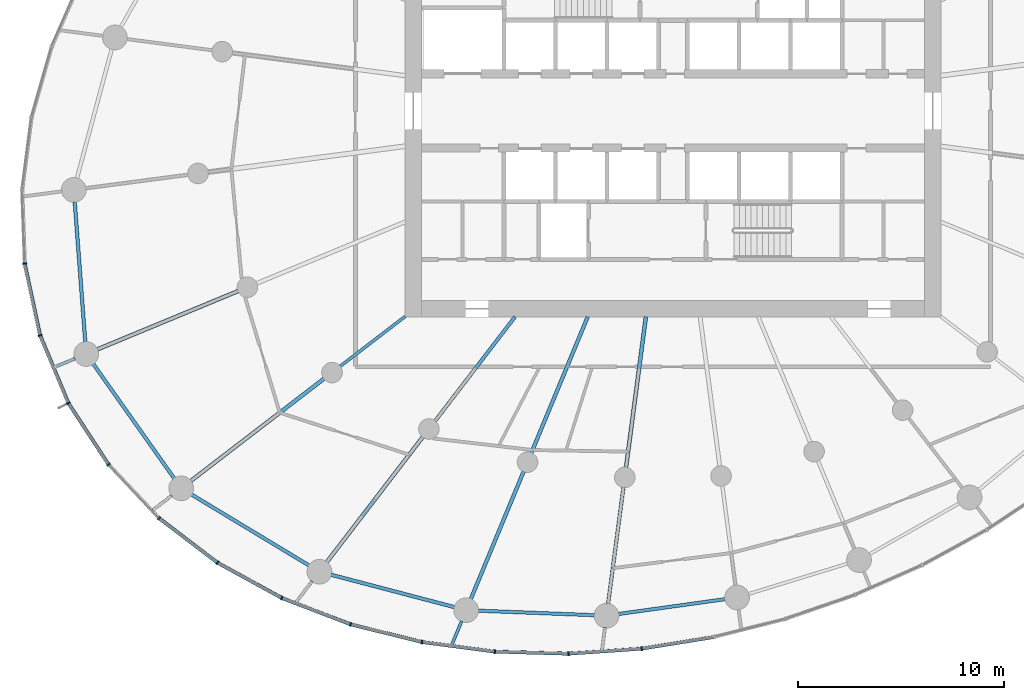
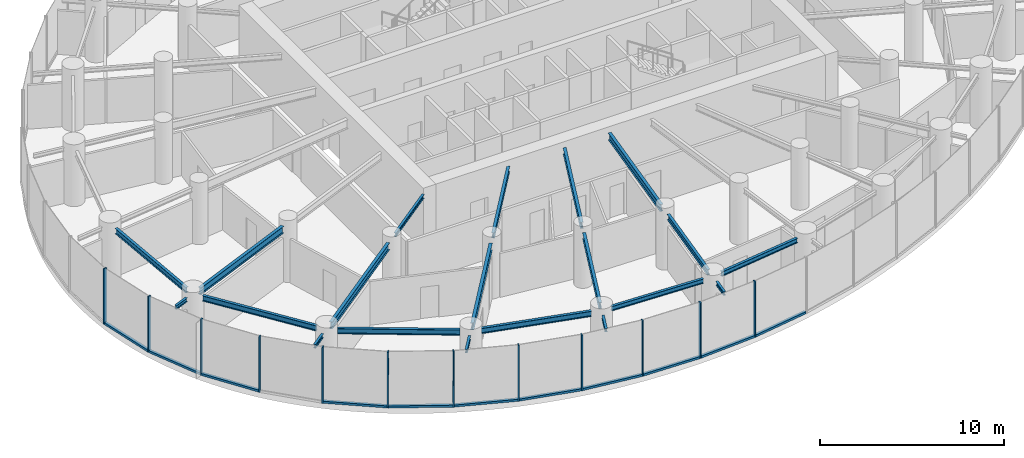
# One storey, part 2 of 17: 23 members, 20 beams, 2 elements without a shape of their own.
"""IFC4 building model written with IfcOpenShell, lengths in metres."""

from ifc_helpers import new_model, si_unit, direction, frame, origin, origin_2d, place, context, subcontext, project, spatial, rectangle, i_section, extrude, source, transform, mapped, material, layer, layer_set, material_profile, profile_set, type_object, element, aggregate, save


model = new_model("IFC4")

# Units and contexts
model_context = context("Model", 3, precision=1e-05, world=origin(), true_north=direction((0.0, 1.0)))
body_context = subcontext(model_context, "Body", "Model", "MODEL_VIEW")
ifc_project = project(units=[si_unit("LENGTHUNIT", "METRE"), si_unit("AREAUNIT", "SQUARE_METRE"), si_unit("VOLUMEUNIT", "CUBIC_METRE"), si_unit("PLANEANGLEUNIT", "RADIAN"), si_unit("MASSUNIT", "GRAM", prefix="KILO")], contexts=[model_context])

# Site, building, storey
site_placement = place(None, origin())
site = spatial("IfcSite", under=ifc_project, at=site_placement, CompositionType="ELEMENT")
building_placement = place(site_placement, origin())
building = spatial("IfcBuilding", under=site, at=building_placement, Name="Spindrift Exchange Tower", CompositionType="ELEMENT")
storey_placement = place(building_placement, frame((0.0, 0.0, 88.0)))
storey = spatial("IfcBuildingStorey", under=building, at=storey_placement, Name="L20", CompositionType="ELEMENT", Elevation=88.0)

# Beams
ifc_material_1 = material(Name="Steel Grade 300", Category="steel")
ifc_material_profile_1 = material_profile(ifc_material_1, i_section(OverallWidth=0.14599609375, OverallDepth=0.251953125, WebThickness=0.006103515625, FlangeThickness=0.008544921875, FilletRadius=0.011962890625, at=origin_2d()), Name="250UB31.4")
ifc_profile_set_1 = profile_set([ifc_material_profile_1], Name="Steel Grade 300")
beam_type_1 = type_object("IfcBeamType", Name="Floor Beam 250UB31.4 Steel Grade 300", PredefinedType="BEAM", material=ifc_profile_set_1)
shared_shape_1 = source(origin(), body_context, "Body", "SweptSolid", [
    extrude(i_section(OverallWidth=0.14599609375, OverallDepth=0.251953125, WebThickness=0.006103515625, FlangeThickness=0.008544921875, FilletRadius=0.011962890625, at=origin_2d()), origin(), (0.0, 0.0, 1.0), 3.99560546875),
])
beam_1_placement = place(storey_placement, frame((39.015869140625, 38.036865234375, 3.573974609375), z_axis=(-0.793352561574, -0.608762443851, 0.0), x_axis=(0.608762443851, -0.793352561574, 0.0)))
element("IfcBeam", 1, at=beam_1_placement, inside=storey, type_object=beam_type_1, Name="L20 radial beam R15A", PredefinedType="BEAM", context=body_context, shape_type="MappedRepresentation", body=[
    mapped(shared_shape_1, transform((0.0, 0.0, 0.0), scale=1.0)),
])
ifc_material_profile_2 = material_profile(ifc_material_1, i_section(OverallWidth=0.172119140625, OverallDepth=0.35888671875, WebThickness=0.008056640625, FlangeThickness=0.012939453125, FilletRadius=0.013916015625, at=origin_2d()), Name="360UB56.7")
ifc_profile_set_2 = profile_set([ifc_material_profile_2], Name="Steel Grade 300")
beam_type_2 = type_object("IfcBeamType", Name="Floor Beam 360UB56.7 Steel Grade 300", PredefinedType="BEAM", material=ifc_profile_set_2)
shared_shape_2 = source(origin(), body_context, "Body", "SweptSolid", [
    extrude(i_section(OverallWidth=0.172119140625, OverallDepth=0.35888671875, WebThickness=0.008056640625, FlangeThickness=0.012939453125, FilletRadius=0.013916015625, at=origin_2d()), origin(), (0.0, 0.0, 1.0), 6.37646484375),
])
beam_2_placement = place(storey_placement, frame((44.3388671875, 38.015869140625, 3.5205078125), z_axis=(-0.608766669952, -0.793349318747, 0.0), x_axis=(0.793349318747, -0.608766669952, 0.0)))
element("IfcBeam", 2, at=beam_2_placement, inside=storey, type_object=beam_type_2, Name="L20 radial beam R16A", PredefinedType="BEAM", context=body_context, shape_type="MappedRepresentation", body=[
    mapped(shared_shape_2, transform((0.0, 0.0, 0.0), scale=1.0)),
])
ifc_material_profile_3 = material_profile(ifc_material_1, i_section(OverallWidth=0.177978515625, OverallDepth=0.406005859375, WebThickness=0.0078125, FlangeThickness=0.0126953125, FilletRadius=0.013916015625, at=origin_2d()), Name="410UB59.7")
ifc_profile_set_3 = profile_set([ifc_material_profile_3], Name="Steel Grade 300")
beam_type_3 = type_object("IfcBeamType", Name="Floor Beam 410UB59.7 Steel Grade 300", PredefinedType="BEAM", material=ifc_profile_set_3)
shared_shape_3 = source(origin(), body_context, "Body", "SweptSolid", [
    extrude(i_section(OverallWidth=0.177978515625, OverallDepth=0.406005859375, WebThickness=0.0078125, FlangeThickness=0.0126953125, FilletRadius=0.013916015625, at=origin_2d()), origin(), (0.0, 0.0, 1.0), 7.150634765625),
])
beam_3_placement = place(storey_placement, frame((47.865478515625, 38.0185546875, 3.4970703125), z_axis=(-0.382665393358, -0.923887004306, 0.0), x_axis=(0.923887004306, -0.382665393358, 0.0)))
element("IfcBeam", 3, at=beam_3_placement, inside=storey, type_object=beam_type_3, Name="L20 radial beam R17A", PredefinedType="BEAM", context=body_context, shape_type="MappedRepresentation", body=[
    mapped(shared_shape_3, transform((0.0, 0.0, 0.0), scale=1.0)),
])
ifc_material_profile_4 = material_profile(ifc_material_1, i_section(OverallWidth=0.18994140625, OverallDepth=0.45703125, WebThickness=0.009033203125, FlangeThickness=0.014404296875, FilletRadius=0.013916015625, at=origin_2d()), Name="460UB74.6")
ifc_profile_set_4 = profile_set([ifc_material_profile_4], Name="Steel Grade 300")
beam_type_4 = type_object("IfcBeamType", Name="Floor Beam 460UB74.6 Steel Grade 300", PredefinedType="BEAM", material=ifc_profile_set_4)
shared_shape_4 = source(origin(), body_context, "Body", "SweptSolid", [
    extrude(i_section(OverallWidth=0.18994140625, OverallDepth=0.45703125, WebThickness=0.009033203125, FlangeThickness=0.014404296875, FilletRadius=0.013916015625, at=origin_2d()), origin(), (0.0, 0.0, 1.0), 7.374267578125),
])
beam_4_placement = place(storey_placement, frame((50.68603515625, 38.019775390625, 3.471435546875), z_axis=(-0.130539295622, -0.99144313619, 0.0), x_axis=(0.99144313619, -0.130539295622, 0.0)))
element("IfcBeam", 4, at=beam_4_placement, inside=storey, type_object=beam_type_4, Name="L20 radial beam R18A", PredefinedType="BEAM", context=body_context, shape_type="MappedRepresentation", body=[
    mapped(shared_shape_4, transform((0.0, 0.0, 0.0), scale=1.0)),
])
shared_shape_5 = source(origin(), body_context, "Body", "SweptSolid", [
    extrude(i_section(OverallWidth=0.18994140625, OverallDepth=0.45703125, WebThickness=0.009033203125, FlangeThickness=0.014404296875, FilletRadius=0.013916015625, at=origin_2d()), origin(), (0.0, 0.0, 1.0), 7.400146484375),
])
beam_5_placement = place(storey_placement, frame((30.917236328125, 39.26708984375, 3.471435546875), z_axis=(-0.923886957755, -0.382665505749, 0.0), x_axis=(0.382665505749, -0.923886957755, 0.0)))
element("IfcBeam", 5, at=beam_5_placement, inside=storey, type_object=beam_type_4, Name="L20 radial beam R14B", PredefinedType="BEAM", context=body_context, shape_type="MappedRepresentation", body=[
    mapped(shared_shape_5, transform((0.0, 0.0, 0.0), scale=1.0)),
])
shared_shape_6 = source(origin(), body_context, "Body", "SweptSolid", [
    extrude(i_section(OverallWidth=0.18994140625, OverallDepth=0.45703125, WebThickness=0.009033203125, FlangeThickness=0.014404296875, FilletRadius=0.013916015625, at=origin_2d()), origin(), (0.0, 0.0, 1.0), 8.158447265625),
])
beam_6_placement = place(storey_placement, frame((35.08447265625, 35.020263671875, 3.471435546875), z_axis=(-0.793358732539, -0.608754401631, 0.0), x_axis=(0.608754401631, -0.793358732539, 0.0)))
element("IfcBeam", 6, at=beam_6_placement, inside=storey, type_object=beam_type_4, Name="L20 radial beam R15B", PredefinedType="BEAM", context=body_context, shape_type="MappedRepresentation", body=[
    mapped(shared_shape_6, transform((0.0, 0.0, 0.0), scale=1.0)),
])
shared_shape_7 = source(origin(), body_context, "Body", "SweptSolid", [
    extrude(i_section(OverallWidth=0.18994140625, OverallDepth=0.45703125, WebThickness=0.009033203125, FlangeThickness=0.014404296875, FilletRadius=0.013916015625, at=origin_2d()), origin(), (0.0, 0.0, 1.0), 7.663818359375),
])
beam_7_placement = place(storey_placement, frame((39.872802734375, 32.1953125, 3.471435546875), z_axis=(-0.608771227503, -0.793345821546, 0.0), x_axis=(0.793345821546, -0.608771227503, 0.0)))
element("IfcBeam", 7, at=beam_7_placement, inside=storey, type_object=beam_type_4, Name="L20 radial beam R16B", PredefinedType="BEAM", context=body_context, shape_type="MappedRepresentation", body=[
    mapped(shared_shape_7, transform((0.0, 0.0, 0.0), scale=1.0)),
])
shared_shape_8 = source(origin(), body_context, "Body", "SweptSolid", [
    extrude(i_section(OverallWidth=0.177978515625, OverallDepth=0.406005859375, WebThickness=0.0078125, FlangeThickness=0.0126953125, FilletRadius=0.013916015625, at=origin_2d()), origin(), (0.0, 0.0, 1.0), 6.71240234375),
])
beam_8_placement = place(storey_placement, frame((44.76171875, 30.525146484375, 3.4970703125), z_axis=(-0.382669812754, -0.923885173821, 0.0), x_axis=(0.923885173821, -0.382669812754, 0.0)))
element("IfcBeam", 8, at=beam_8_placement, inside=storey, type_object=beam_type_3, Name="L20 radial beam R17B", PredefinedType="BEAM", context=body_context, shape_type="MappedRepresentation", body=[
    mapped(shared_shape_8, transform((0.0, 0.0, 0.0), scale=1.0)),
])
shared_shape_9 = source(origin(), body_context, "Body", "SweptSolid", [
    extrude(i_section(OverallWidth=0.172119140625, OverallDepth=0.35888671875, WebThickness=0.008056640625, FlangeThickness=0.012939453125, FilletRadius=0.013916015625, at=origin_2d()), origin(), (0.0, 0.0, 1.0), 5.70751953125),
])
beam_9_placement = place(storey_placement, frame((49.59814453125, 29.7568359375, 3.5205078125), z_axis=(-0.130507624881, -0.991447305634, 0.0), x_axis=(0.991447305634, -0.130507624881, 0.0)))
element("IfcBeam", 9, at=beam_9_placement, inside=storey, type_object=beam_type_2, Name="L20 radial beam R18B", PredefinedType="BEAM", context=body_context, shape_type="MappedRepresentation", body=[
    mapped(shared_shape_9, transform((0.0, 0.0, 0.0), scale=1.0)),
])
ifc_material_profile_5 = material_profile(ifc_material_1, i_section(OverallWidth=0.172119140625, OverallDepth=0.35888671875, WebThickness=0.008056640625, FlangeThickness=0.012939453125, FilletRadius=0.013916015625, at=origin_2d()), Name="360UB56.7")
ifc_profile_set_5 = profile_set([ifc_material_profile_5], Name="Steel Grade 300")
beam_type_5 = type_object("IfcBeamType", Name="Edge Beam 360UB56.7 Steel Grade 300", PredefinedType="SPANDREL", material=ifc_profile_set_5)
shared_shape_10 = source(origin(), body_context, "Body", "SweptSolid", [
    extrude(i_section(OverallWidth=0.172119140625, OverallDepth=0.35888671875, WebThickness=0.008056640625, FlangeThickness=0.012939453125, FilletRadius=0.013916015625, at=origin_2d()), origin(), (0.0, 0.0, 1.0), 6.82373046875),
])
beam_10_placement = place(storey_placement, frame((22.9873046875, 43.59619140625, 3.5205078125), z_axis=(0.075276463877, -0.997162701863, 0.0), x_axis=(0.997162701863, 0.075276463877, 0.0)))
element("IfcBeam", 10, at=beam_10_placement, inside=storey, type_object=beam_type_5, Name="L20 edge beam E13", PredefinedType="SPANDREL", context=body_context, shape_type="MappedRepresentation", body=[
    mapped(shared_shape_10, transform((0.0, 0.0, 0.0), scale=1.0)),
])
shared_shape_11 = source(origin(), body_context, "Body", "SweptSolid", [
    extrude(i_section(OverallWidth=0.172119140625, OverallDepth=0.35888671875, WebThickness=0.008056640625, FlangeThickness=0.012939453125, FilletRadius=0.013916015625, at=origin_2d()), origin(), (0.0, 0.0, 1.0), 6.81787109375),
])
beam_11_placement = place(storey_placement, frame((23.87939453125, 35.739990234375, 3.5205078125), z_axis=(0.577526426198, -0.816371990604, 0.0), x_axis=(0.816371990604, 0.577526426198, 0.0)))
element("IfcBeam", 11, at=beam_11_placement, inside=storey, type_object=beam_type_5, Name="L20 edge beam E14", PredefinedType="SPANDREL", context=body_context, shape_type="MappedRepresentation", body=[
    mapped(shared_shape_11, transform((0.0, 0.0, 0.0), scale=1.0)),
])
shared_shape_12 = source(origin(), body_context, "Body", "SweptSolid", [
    extrude(i_section(OverallWidth=0.172119140625, OverallDepth=0.35888671875, WebThickness=0.008056640625, FlangeThickness=0.012939453125, FilletRadius=0.013916015625, at=origin_2d()), origin(), (0.0, 0.0, 1.0), 6.668701171875),
])
beam_12_placement = place(storey_placement, frame((28.6484375, 29.40087890625, 3.5205078125), z_axis=(0.856133207479, -0.516755194508, 0.0), x_axis=(0.516755194508, 0.856133207479, 0.0)))
element("IfcBeam", 12, at=beam_12_placement, inside=storey, type_object=beam_type_5, Name="L20 edge beam E15", PredefinedType="SPANDREL", context=body_context, shape_type="MappedRepresentation", body=[
    mapped(shared_shape_12, transform((0.0, 0.0, 0.0), scale=1.0)),
])
shared_shape_13 = source(origin(), body_context, "Body", "SweptSolid", [
    extrude(i_section(OverallWidth=0.172119140625, OverallDepth=0.35888671875, WebThickness=0.008056640625, FlangeThickness=0.012939453125, FilletRadius=0.013916015625, at=origin_2d()), origin(), (0.0, 0.0, 1.0), 6.197509765625),
])
beam_13_placement = place(storey_placement, frame((35.415283203125, 25.508056640625, 3.5205078125), z_axis=(0.967254420813, -0.253808757567, 0.0), x_axis=(0.253808757567, 0.967254420813, 0.0)))
element("IfcBeam", 13, at=beam_13_placement, inside=storey, type_object=beam_type_5, Name="L20 edge beam E16", PredefinedType="SPANDREL", context=body_context, shape_type="MappedRepresentation", body=[
    mapped(shared_shape_13, transform((0.0, 0.0, 0.0), scale=1.0)),
])
ifc_material_profile_6 = material_profile(ifc_material_1, i_section(OverallWidth=0.1650390625, OverallDepth=0.303955078125, WebThickness=0.006103515625, FlangeThickness=0.01025390625, FilletRadius=0.011474609375, at=origin_2d()), Name="310UB40.4")
ifc_profile_set_6 = profile_set([ifc_material_profile_6], Name="Steel Grade 300")
beam_type_6 = type_object("IfcBeamType", Name="Edge Beam 310UB40.4 Steel Grade 300", PredefinedType="SPANDREL", material=ifc_profile_set_6)
shared_shape_14 = source(origin(), body_context, "Body", "SweptSolid", [
    extrude(i_section(OverallWidth=0.1650390625, OverallDepth=0.303955078125, WebThickness=0.006103515625, FlangeThickness=0.01025390625, FilletRadius=0.011474609375, at=origin_2d()), origin(), (0.0, 0.0, 1.0), 5.65185546875),
])
beam_14_placement = place(storey_placement, frame((42.550537109375, 23.765380859375, 3.548095703125), z_axis=(0.99924397539, -0.038877726865, 0.0), x_axis=(0.038877726865, 0.99924397539, 0.0)))
element("IfcBeam", 14, at=beam_14_placement, inside=storey, type_object=beam_type_6, Name="L20 edge beam E17", PredefinedType="SPANDREL", context=body_context, shape_type="MappedRepresentation", body=[
    mapped(shared_shape_14, transform((0.0, 0.0, 0.0), scale=1.0)),
])
shared_shape_15 = source(origin(), body_context, "Body", "SweptSolid", [
    extrude(i_section(OverallWidth=0.1650390625, OverallDepth=0.303955078125, WebThickness=0.006103515625, FlangeThickness=0.01025390625, FilletRadius=0.011474609375, at=origin_2d()), origin(), (0.0, 0.0, 1.0), 5.22998046875),
])
beam_15_placement = place(storey_placement, frame((49.35205078125, 23.603271484375, 3.548095703125), z_axis=(0.990440078597, 0.137943650481, 0.0), x_axis=(-0.137943650481, 0.990440078597, 0.0)))
element("IfcBeam", 15, at=beam_15_placement, inside=storey, type_object=beam_type_6, Name="L20 edge beam E18", PredefinedType="SPANDREL", context=body_context, shape_type="MappedRepresentation", body=[
    mapped(shared_shape_15, transform((0.0, 0.0, 0.0), scale=1.0)),
])
ifc_material_profile_7 = material_profile(ifc_material_1, i_section(OverallWidth=0.14599609375, OverallDepth=0.251953125, WebThickness=0.006103515625, FlangeThickness=0.008544921875, FilletRadius=0.011962890625, at=origin_2d()), Name="250UB31.4")
ifc_profile_set_7 = profile_set([ifc_material_profile_7], Name="Steel Grade 300")
beam_type_7 = type_object("IfcBeamType", Name="Cantilever Beam 250UB31.4 Steel Grade 300", PredefinedType="BEAM", material=ifc_profile_set_7)
shared_shape_16 = source(origin(), body_context, "Body", "SweptSolid", [
    extrude(i_section(OverallWidth=0.14599609375, OverallDepth=0.251953125, WebThickness=0.006103515625, FlangeThickness=0.008544921875, FilletRadius=0.011962890625, at=origin_2d()), origin(), (0.0, 0.0, 1.0), 1.110107421875),
])
beam_16_placement = place(storey_placement, frame((48.701904296875, 22.9482421875, 3.573974609375), z_axis=(-0.130636560115, -0.991430324915, 0.0), x_axis=(0.991430324915, -0.130636560115, 0.0)))
element("IfcBeam", 16, at=beam_16_placement, inside=storey, type_object=beam_type_7, Name="L20 cantilever beam R18T", PredefinedType="BEAM", context=body_context, shape_type="MappedRepresentation", body=[
    mapped(shared_shape_16, transform((0.0, 0.0, 0.0), scale=1.0)),
])
shared_shape_17 = source(origin(), body_context, "Body", "SweptSolid", [
    extrude(i_section(OverallWidth=0.14599609375, OverallDepth=0.251953125, WebThickness=0.006103515625, FlangeThickness=0.008544921875, FilletRadius=0.011962890625, at=origin_2d()), origin(), (0.0, 0.0, 1.0), 0.97802734375),
])
beam_17_placement = place(storey_placement, frame((23.0087890625, 35.991455078125, 3.573974609375), z_axis=(-0.923879920344, -0.382682496052, 0.0), x_axis=(0.382682496052, -0.923879920344, 0.0)))
element("IfcBeam", 17, at=beam_17_placement, inside=storey, type_object=beam_type_7, Name="L20 cantilever beam R14T", PredefinedType="BEAM", context=body_context, shape_type="MappedRepresentation", body=[
    mapped(shared_shape_17, transform((0.0, 0.0, 0.0), scale=1.0)),
])
shared_shape_18 = source(origin(), body_context, "Body", "SweptSolid", [
    extrude(i_section(OverallWidth=0.14599609375, OverallDepth=0.251953125, WebThickness=0.006103515625, FlangeThickness=0.008544921875, FilletRadius=0.011962890625, at=origin_2d()), origin(), (0.0, 0.0, 1.0), 1.136962890625),
])
beam_18_placement = place(storey_placement, frame((27.691650390625, 29.347412109375, 3.573974609375), z_axis=(-0.793485372694, -0.608589322385, 0.0), x_axis=(0.608589322385, -0.793485372694, 0.0)))
element("IfcBeam", 18, at=beam_18_placement, inside=storey, type_object=beam_type_7, Name="L20 cantilever beam R15T", PredefinedType="BEAM", context=body_context, shape_type="MappedRepresentation", body=[
    mapped(shared_shape_18, transform((0.0, 0.0, 0.0), scale=1.0)),
])
shared_shape_19 = source(origin(), body_context, "Body", "SweptSolid", [
    extrude(i_section(OverallWidth=0.14599609375, OverallDepth=0.251953125, WebThickness=0.006103515625, FlangeThickness=0.008544921875, FilletRadius=0.011962890625, at=origin_2d()), origin(), (0.0, 0.0, 1.0), 1.337646484375),
])
beam_19_placement = place(storey_placement, frame((34.501220703125, 25.195068359375, 3.573974609375), z_axis=(-0.608695898449, -0.793403619358, 0.0), x_axis=(0.793403619358, -0.608695898449, 0.0)))
element("IfcBeam", 19, at=beam_19_placement, inside=storey, type_object=beam_type_7, Name="L20 cantilever beam R16T", PredefinedType="BEAM", context=body_context, shape_type="MappedRepresentation", body=[
    mapped(shared_shape_19, transform((0.0, 0.0, 0.0), scale=1.0)),
])
shared_shape_20 = source(origin(), body_context, "Body", "SweptSolid", [
    extrude(i_section(OverallWidth=0.14599609375, OverallDepth=0.251953125, WebThickness=0.006103515625, FlangeThickness=0.008544921875, FilletRadius=0.011962890625, at=origin_2d()), origin(), (0.0, 0.0, 1.0), 1.289794921875),
])
beam_20_placement = place(storey_placement, frame((41.7490234375, 23.251953125, 3.573974609375), z_axis=(-0.382719556917, -0.923864568404, 0.0), x_axis=(0.923864568404, -0.382719556917, 0.0)))
element("IfcBeam", 20, at=beam_20_placement, inside=storey, type_object=beam_type_7, Name="L20 cantilever beam R17T", PredefinedType="BEAM", context=body_context, shape_type="MappedRepresentation", body=[
    mapped(shared_shape_20, transform((0.0, 0.0, 0.0), scale=1.0)),
])

# Curtain wall, members
ifc_material_2 = material(Name="Fritted laminated glass with bronze frame", Category="glass")
ifc_layer = layer(ifc_material_2, 0.18994140625)
ifc_layer_set = layer_set([ifc_layer], Name="ZONE 2 BRONZE FRITTED WALL")
curtain_wall_type = type_object("IfcCurtainWallType", Name="ZONE 2 BRONZE FRITTED WALL", PredefinedType="NOTDEFINED", material=ifc_layer_set)
curtain_wall_1_placement = place(storey_placement, origin())
curtain_wall_1 = element("IfcCurtainWall", 21, at=curtain_wall_1_placement, inside=storey, type_object=curtain_wall_type, Name="L20 Zone 2 Bronze Fritted Wall run 5", PredefinedType="NOTDEFINED")
ifc_material_3 = material(Name="Bronze anodised aluminium", Category="aluminium")
ifc_material_profile_8 = material_profile(ifc_material_3, rectangle(XDim=0.074951171875, YDim=0.18994140625, at=origin_2d()), Name="ZONE 2 BRONZE FRITTED WALL MULLION 75X190")
ifc_profile_set_8 = profile_set([ifc_material_profile_8], Name="Bronze anodised aluminium")
member_type_1 = type_object("IfcMemberType", Name="ZONE 2 BRONZE FRITTED WALL MULLION 75X190", PredefinedType="MULLION", material=ifc_profile_set_8)
shared_shape_21 = source(origin(), body_context, "Body", "SweptSolid", [
    extrude(rectangle(XDim=0.074951171875, YDim=0.18994140625, at=origin_2d()), origin(), (0.0, 0.0, 1.0), 3.699951171875),
])
member_1_placement = place(storey_placement, frame((20.558349609375, 40.600830078125, 0.0), z_axis=(0.0, 0.0, 1.0), x_axis=(0.123581664189, -0.992334405468, 0.0)))
member_1 = element("IfcMember", 22, at=member_1_placement, type_object=member_type_1, Name="L20 mullion CW-2.25", PredefinedType="MULLION", context=body_context, shape_type="MappedRepresentation", body=[
    mapped(shared_shape_21, transform((0.0, 0.0, 0.0), scale=1.0)),
])
member_2_placement = place(storey_placement, frame((21.30810546875, 37.117919921875, 0.0), z_axis=(0.0, 0.0, 1.0), x_axis=(0.299118240023, -0.954216054406, 0.0)))
member_2 = element("IfcMember", 23, at=member_2_placement, type_object=member_type_1, Name="L20 mullion CW-2.26", PredefinedType="MULLION", context=body_context, shape_type="MappedRepresentation", body=[
    mapped(shared_shape_21, transform((0.0, 0.0, 0.0), scale=1.0)),
])
member_3_placement = place(storey_placement, frame((22.6806640625, 33.830078125, 0.0), z_axis=(0.0, 0.0, 1.0), x_axis=(0.468121199946, -0.883664270049, 0.0)))
member_3 = element("IfcMember", 24, at=member_3_placement, type_object=member_type_1, Name="L20 mullion CW-2.27", PredefinedType="MULLION", context=body_context, shape_type="MappedRepresentation", body=[
    mapped(shared_shape_21, transform((0.0, 0.0, 0.0), scale=1.0)),
])
member_4_placement = place(storey_placement, frame((24.6298828125, 30.84765625, 0.0), z_axis=(0.0, 0.0, 1.0), x_axis=(0.618658053105, -0.785660367671, 0.0)))
member_4 = element("IfcMember", 25, at=member_4_placement, type_object=member_type_1, Name="L20 mullion CW-2.28", PredefinedType="MULLION", context=body_context, shape_type="MappedRepresentation", body=[
    mapped(shared_shape_21, transform((0.0, 0.0, 0.0), scale=1.0)),
])
member_5_placement = place(storey_placement, frame((27.072265625, 28.253173828125, 0.0), z_axis=(0.0, 0.0, 1.0), x_axis=(0.742868300542, -0.669437590855, 0.0)))
member_5 = element("IfcMember", 26, at=member_5_placement, type_object=member_type_1, Name="L20 mullion CW-2.29", PredefinedType="MULLION", context=body_context, shape_type="MappedRepresentation", body=[
    mapped(shared_shape_21, transform((0.0, 0.0, 0.0), scale=1.0)),
])
member_6_placement = place(storey_placement, frame((29.90673828125, 26.09228515625, 0.0), z_axis=(0.0, 0.0, 1.0), x_axis=(0.8384543732, -0.544971801162, 0.0)))
member_6 = element("IfcMember", 27, at=member_6_placement, type_object=member_type_1, Name="L20 mullion CW-2.30", PredefinedType="MULLION", context=body_context, shape_type="MappedRepresentation", body=[
    mapped(shared_shape_21, transform((0.0, 0.0, 0.0), scale=1.0)),
])

curtain_wall_2_placement = place(storey_placement, origin())
curtain_wall_2 = element("IfcCurtainWall", 28, at=curtain_wall_2_placement, inside=storey, type_object=curtain_wall_type, Name="L20 Zone 2 Bronze Fritted Wall run 6", PredefinedType="NOTDEFINED")
member_7_placement = place(storey_placement, frame((33.03271484375, 24.37890625, 0.0), z_axis=(0.0, 0.0, 1.0), x_axis=(0.907476585299, -0.420102662612, 0.0)))
member_7 = element("IfcMember", 29, at=member_7_placement, type_object=member_type_1, Name="L20 mullion CW-2.31", PredefinedType="MULLION", context=body_context, shape_type="MappedRepresentation", body=[
    mapped(shared_shape_21, transform((0.0, 0.0, 0.0), scale=1.0)),
])
member_8_placement = place(storey_placement, frame((36.3623046875, 23.10400390625, 0.0), z_axis=(0.0, 0.0, 1.0), x_axis=(0.954045597968, -0.299661470659, 0.0)))
member_8 = element("IfcMember", 30, at=member_8_placement, type_object=member_type_1, Name="L20 mullion CW-2.32", PredefinedType="MULLION", context=body_context, shape_type="MappedRepresentation", body=[
    mapped(shared_shape_21, transform((0.0, 0.0, 0.0), scale=1.0)),
])
member_9_placement = place(storey_placement, frame((39.8232421875, 22.24609375, 0.0), z_axis=(0.0, 0.0, 1.0), x_axis=(0.982568767046, -0.185899483661, 0.0)))
member_9 = element("IfcMember", 31, at=member_9_placement, type_object=member_type_1, Name="L20 mullion CW-2.33", PredefinedType="MULLION", context=body_context, shape_type="MappedRepresentation", body=[
    mapped(shared_shape_21, transform((0.0, 0.0, 0.0), scale=1.0)),
])
member_10_placement = place(storey_placement, frame((43.358642578125, 21.7802734375, 0.0), z_axis=(0.0, 0.0, 1.0), x_axis=(0.996843343471, -0.079393630587, 0.0)))
member_10 = element("IfcMember", 32, at=member_10_placement, type_object=member_type_1, Name="L20 mullion CW-2.34", PredefinedType="MULLION", context=body_context, shape_type="MappedRepresentation", body=[
    mapped(shared_shape_21, transform((0.0, 0.0, 0.0), scale=1.0)),
])
member_11_placement = place(storey_placement, frame((46.923583984375, 21.6806640625, 0.0), z_axis=(0.0, 0.0, 1.0), x_axis=(0.999795734066, 0.02021113909, 0.0)))
member_11 = element("IfcMember", 33, at=member_11_placement, type_object=member_type_1, Name="L20 mullion CW-2.35", PredefinedType="MULLION", context=body_context, shape_type="MappedRepresentation", body=[
    mapped(shared_shape_21, transform((0.0, 0.0, 0.0), scale=1.0)),
])
member_12_placement = place(storey_placement, frame((50.481689453125, 21.92431640625, 0.0), z_axis=(0.0, 0.0, 1.0), x_axis=(0.993521251269, 0.113646483789, 0.0)))
member_12 = element("IfcMember", 34, at=member_12_placement, type_object=member_type_1, Name="L20 mullion CW-2.36", PredefinedType="MULLION", context=body_context, shape_type="MappedRepresentation", body=[
    mapped(shared_shape_21, transform((0.0, 0.0, 0.0), scale=1.0)),
])
ifc_material_profile_9 = material_profile(ifc_material_3, rectangle(XDim=0.169921875, YDim=0.139892578125, at=origin_2d()), Name="ZONE 2 BRONZE FRITTED WALL TRANSOM 170X140")
ifc_profile_set_9 = profile_set([ifc_material_profile_9], Name="Bronze anodised aluminium")
member_type_2 = type_object("IfcMemberType", Name="ZONE 2 BRONZE FRITTED WALL TRANSOM 170X140", PredefinedType="USERDEFINED", material=ifc_profile_set_9)
shared_shape_22 = source(origin(), body_context, "Body", "SweptSolid", [
    extrude(rectangle(XDim=0.169921875, YDim=0.139892578125, at=origin_2d()), origin(), (0.0, 0.0, 1.0), 3.4912109375),
])
member_13_placement = place(storey_placement, frame((39.8603515625, 22.2412109375, 0.070068359375), z_axis=(0.991430714694, -0.130633601964, 0.0), x_axis=(0.130633601964, 0.991430714694, 0.0)))
member_13 = element("IfcMember", 35, at=member_13_placement, type_object=member_type_2, Name="L20 transom CW-2.33", ObjectType="TRANSOM", PredefinedType="USERDEFINED", context=body_context, shape_type="MappedRepresentation", body=[
    mapped(shared_shape_22, transform((0.0, 0.0, 0.0), scale=1.0)),
])

# Member
shared_shape_23 = source(origin(), body_context, "Body", "SweptSolid", [
    extrude(rectangle(XDim=0.169921875, YDim=0.139892578125, at=origin_2d()), origin(), (0.0, 0.0, 1.0), 3.487548828125),
])
member_14_placement = place(storey_placement, frame((21.32275390625, 37.083251953125, 0.070068359375), z_axis=(0.385216733609, -0.922826131049, 0.0), x_axis=(0.922826131049, 0.385216733609, 0.0)))
member_14 = element("IfcMember", 36, at=member_14_placement, type_object=member_type_2, Name="L20 transom CW-2.26", ObjectType="TRANSOM", PredefinedType="USERDEFINED", context=body_context, shape_type="MappedRepresentation", body=[
    mapped(shared_shape_23, transform((0.0, 0.0, 0.0), scale=1.0)),
])

shared_shape_24 = source(origin(), body_context, "Body", "SweptSolid", [
    extrude(rectangle(XDim=0.169921875, YDim=0.139892578125, at=origin_2d()), origin(), (0.0, 0.0, 1.0), 3.48779296875),
])
member_15_placement = place(storey_placement, frame((20.566162109375, 40.564208984375, 0.070068359375), z_axis=(0.21048506371, -0.977597073418, 0.0), x_axis=(0.977597073418, 0.21048506371, 0.0)))
member_15 = element("IfcMember", 37, at=member_15_placement, type_object=member_type_2, Name="L20 transom CW-2.25", ObjectType="TRANSOM", PredefinedType="USERDEFINED", context=body_context, shape_type="MappedRepresentation", body=[
    mapped(shared_shape_24, transform((0.0, 0.0, 0.0), scale=1.0)),
])

shared_shape_25 = source(origin(), body_context, "Body", "SweptSolid", [
    extrude(rectangle(XDim=0.169921875, YDim=0.139892578125, at=origin_2d()), origin(), (0.0, 0.0, 1.0), 3.49072265625),
])
member_16_placement = place(storey_placement, frame((36.398681640625, 23.094970703125, 0.070068359375), z_axis=(0.970626021938, -0.240593278244, 0.0), x_axis=(0.240593278244, 0.970626021938, 0.0)))
member_16 = element("IfcMember", 38, at=member_16_placement, type_object=member_type_2, Name="L20 transom CW-2.32", ObjectType="TRANSOM", PredefinedType="USERDEFINED", context=body_context, shape_type="MappedRepresentation", body=[
    mapped(shared_shape_25, transform((0.0, 0.0, 0.0), scale=1.0)),
])

shared_shape_26 = source(origin(), body_context, "Body", "SweptSolid", [
    extrude(rectangle(XDim=0.169921875, YDim=0.139892578125, at=origin_2d()), origin(), (0.0, 0.0, 1.0), 3.491455078125),
])
member_17_placement = place(storey_placement, frame((43.396240234375, 21.779296875, 0.070068359375), z_axis=(0.999608738851, -0.027970863626, 0.0), x_axis=(0.027970863626, 0.999608738851, 0.0)))
member_17 = element("IfcMember", 39, at=member_17_placement, type_object=member_type_2, Name="L20 transom CW-2.34", ObjectType="TRANSOM", PredefinedType="USERDEFINED", context=body_context, shape_type="MappedRepresentation", body=[
    mapped(shared_shape_26, transform((0.0, 0.0, 0.0), scale=1.0)),
])

member_18_placement = place(storey_placement, frame((46.9609375, 21.683349609375, 0.070068359375), z_axis=(0.997668568941, 0.068245340853, 0.0), x_axis=(-0.068245340853, 0.997668568941, 0.0)))
member_18 = element("IfcMember", 40, at=member_18_placement, type_object=member_type_2, Name="L20 transom CW-2.35", ObjectType="TRANSOM", PredefinedType="USERDEFINED", context=body_context, shape_type="MappedRepresentation", body=[
    mapped(shared_shape_26, transform((0.0, 0.0, 0.0), scale=1.0)),
])

member_19_placement = place(storey_placement, frame((50.518798828125, 21.93017578125, 0.070068359375), z_axis=(0.98731158494, 0.158794944008, 0.0), x_axis=(-0.158794944008, 0.98731158494, 0.0)))
member_19 = element("IfcMember", 41, at=member_19_placement, type_object=member_type_2, Name="L20 transom CW-2.36", ObjectType="TRANSOM", PredefinedType="USERDEFINED", context=body_context, shape_type="MappedRepresentation", body=[
    mapped(shared_shape_26, transform((0.0, 0.0, 0.0), scale=1.0)),
])

shared_shape_27 = source(origin(), body_context, "Body", "SweptSolid", [
    extrude(rectangle(XDim=0.169921875, YDim=0.139892578125, at=origin_2d()), origin(), (0.0, 0.0, 1.0), 3.4892578125),
])
member_20_placement = place(storey_placement, frame((27.10205078125, 28.23046875, 0.070068359375), z_axis=(0.795290350961, -0.606228717291, 0.0), x_axis=(0.606228717291, 0.795290350961, 0.0)))
member_20 = element("IfcMember", 42, at=member_20_placement, type_object=member_type_2, Name="L20 transom CW-2.29", ObjectType="TRANSOM", PredefinedType="USERDEFINED", context=body_context, shape_type="MappedRepresentation", body=[
    mapped(shared_shape_27, transform((0.0, 0.0, 0.0), scale=1.0)),
])

shared_shape_28 = source(origin(), body_context, "Body", "SweptSolid", [
    extrude(rectangle(XDim=0.169921875, YDim=0.139892578125, at=origin_2d()), origin(), (0.0, 0.0, 1.0), 3.488037109375),
])
member_21_placement = place(storey_placement, frame((22.701171875, 33.798828125, 0.070068359375), z_axis=(0.547085279979, -0.837076876058, 0.0), x_axis=(0.837076876058, 0.547085279979, 0.0)))
member_21 = element("IfcMember", 43, at=member_21_placement, type_object=member_type_2, Name="L20 transom CW-2.27", ObjectType="TRANSOM", PredefinedType="USERDEFINED", context=body_context, shape_type="MappedRepresentation", body=[
    mapped(shared_shape_28, transform((0.0, 0.0, 0.0), scale=1.0)),
])

shared_shape_29 = source(origin(), body_context, "Body", "SweptSolid", [
    extrude(rectangle(XDim=0.169921875, YDim=0.139892578125, at=origin_2d()), origin(), (0.0, 0.0, 1.0), 3.489990234375),
])
member_22_placement = place(storey_placement, frame((29.939697265625, 26.074462890625, 0.070068359375), z_axis=(0.876901825599, -0.480669520837, 0.0), x_axis=(0.480669520837, 0.876901825599, 0.0)))
member_22 = element("IfcMember", 44, at=member_22_placement, type_object=member_type_2, Name="L20 transom CW-2.30", ObjectType="TRANSOM", PredefinedType="USERDEFINED", context=body_context, shape_type="MappedRepresentation", body=[
    mapped(shared_shape_29, transform((0.0, 0.0, 0.0), scale=1.0)),
])

aggregate(curtain_wall_1, [member_1, member_15, member_2, member_14, member_3, member_21, member_4, member_5, member_20, member_6, member_22])

member_23_placement = place(storey_placement, frame((33.06787109375, 24.365478515625, 0.070068359375), z_axis=(0.933874646163, -0.357600538666, 0.0), x_axis=(0.357600538666, 0.933874646163, 0.0)))
member_23 = element("IfcMember", 45, at=member_23_placement, type_object=member_type_2, Name="L20 transom CW-2.31", ObjectType="TRANSOM", PredefinedType="USERDEFINED", context=body_context, shape_type="MappedRepresentation", body=[
    mapped(shared_shape_29, transform((0.0, 0.0, 0.0), scale=1.0)),
])

aggregate(curtain_wall_2, [member_7, member_23, member_8, member_16, member_9, member_13, member_10, member_17, member_11, member_18, member_12, member_19])

save(model, "model.ifc")
